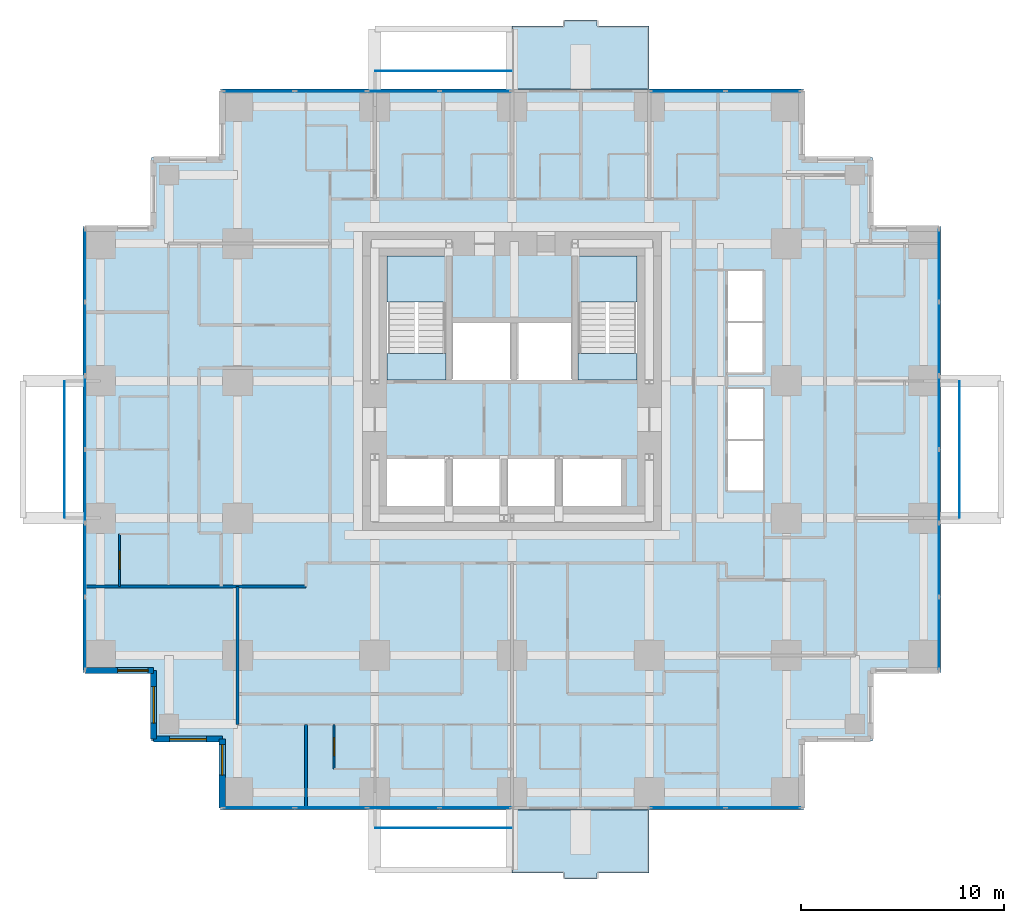
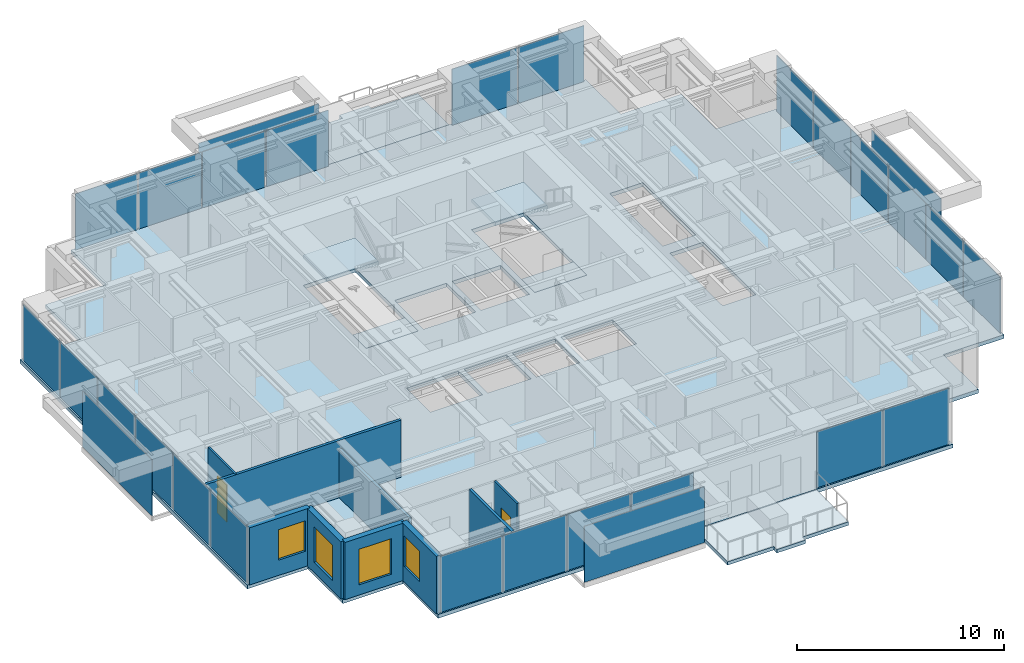
# One storey, part 6 of 12: 28 plates, 9 walls, 7 slabs, 4 windows, 2 doors, 6 openings, 8 elements without a shape of their own.
"""IFC4 building model written with IfcOpenShell, lengths in metres."""

from ifc_helpers import new_model, si_unit, direction, frame, frame_2d, origin, origin_2d, place, context, subcontext, project, spatial, polyline, rectangle, outline, extrude, material, layer, layer_set, type_object, element, fill, aggregate, save


model = new_model("IFC4")

# Units and contexts
model_context = context("Model", 3, precision=1e-05, world=origin(), true_north=direction((0.0, 1.0)))
body_context = subcontext(model_context, "Body", "Model", "MODEL_VIEW")
ifc_project = project(units=[si_unit("LENGTHUNIT", "METRE"), si_unit("AREAUNIT", "SQUARE_METRE"), si_unit("VOLUMEUNIT", "CUBIC_METRE"), si_unit("PLANEANGLEUNIT", "RADIAN"), si_unit("MASSUNIT", "GRAM", prefix="KILO")], contexts=[model_context])

# Site, building, storey
site_placement = place(None, origin())
site = spatial("IfcSite", under=ifc_project, at=site_placement, CompositionType="ELEMENT")
building_placement = place(site_placement, origin())
building = spatial("IfcBuilding", under=site, at=building_placement, Name="Nyansa Garden Tower", CompositionType="ELEMENT")
storey_placement = place(building_placement, frame((0.0, 0.0, 119.699951171875)))
storey = spatial("IfcBuildingStorey", under=building, at=storey_placement, Name="L32", CompositionType="ELEMENT", Elevation=119.699951171875)

# Slabs
ifc_material_1 = material(Name="Concrete C40/50", Category="concrete")
ifc_layer_1 = layer(ifc_material_1, 0.199951171875)
ifc_layer_set_1 = layer_set([ifc_layer_1], Name="Balcony slab BS200")
slab_type_1 = type_object("IfcSlabType", Name="Balcony slab BS200", PredefinedType="FLOOR", material=ifc_layer_set_1)
slab_1_placement = place(storey_placement, frame((0.0, 0.0, -0.239990234375)))
element("IfcSlab", 1, at=slab_1_placement, inside=storey, type_object=slab_type_1, Name="Balcony L32 S", PredefinedType="FLOOR", context=body_context, shape_type="SweptSolid", body=[
    extrude(outline(polyline([(20.25, -0.85009765625), (27.0, -0.85009765625), (27.0, -3.949951171875), (24.425048828125, -3.949951171875), (24.425048828125, -4.25), (22.824951171875, -4.25), (22.824951171875, -3.949951171875), (20.25, -3.949951171875), (20.25, -0.85009765625)])), origin(), (0.0, 0.0, 1.0), 0.199951171875),
])
slab_2_placement = place(storey_placement, frame((0.0, 0.0, -0.239990234375)))
element("IfcSlab", 2, at=slab_2_placement, inside=storey, type_object=slab_type_1, Name="Balcony L32 N", PredefinedType="FLOOR", context=body_context, shape_type="SweptSolid", body=[
    extrude(outline(polyline([(20.25, 34.60009765625), (27.0, 34.60009765625), (27.0, 37.699951171875), (24.425048828125, 37.699951171875), (24.425048828125, 38.0), (22.824951171875, 38.0), (22.824951171875, 37.699951171875), (20.25, 37.699951171875), (20.25, 34.60009765625)])), origin(), (0.0, 0.0, 1.0), 0.199951171875),
])

# Curtain wall, plates
ifc_material_2 = material(Name="Black anodised aluminium, dark tinted double glazing", Category="aluminium")
curtain_wall_type = type_object("IfcCurtainWallType", Name="Inner skin curtain wall ISW-B", PredefinedType="USERDEFINED", material=ifc_material_2)
curtain_wall_1_placement = place(storey_placement, origin())
curtain_wall_1 = element("IfcCurtainWall", 3, at=curtain_wall_1_placement, inside=storey, type_object=curtain_wall_type, Name="Inner skin curtain wall L32 E", ObjectType="UNITISED CURTAIN WALL", PredefinedType="USERDEFINED")
ifc_material_3 = material(Name="Dark tinted laminated double glazing", Category="glass")
ifc_layer_2 = layer(ifc_material_3, 0.035888671875)
ifc_layer_set_2 = layer_set([ifc_layer_2], Name="Dark tinted vision panel VP-B")
plate_type_1 = type_object("IfcPlateType", Name="Dark tinted vision panel VP-B", PredefinedType="CURTAIN_PANEL", material=ifc_layer_set_2)
plate_1_placement = place(storey_placement, frame((41.25, 7.828857421875, 0.0), z_axis=(0.0, 0.0, 1.0), x_axis=(0.0, 1.0, 0.0)))
plate_1 = element("IfcPlate", 4, at=plate_1_placement, type_object=plate_type_1, Name="ISW-B panel 1", PredefinedType="CURTAIN_PANEL", context=body_context, shape_type="SweptSolid", body=[
    extrude(rectangle(XDim=3.527587890625, YDim=0.035888671875, at=origin_2d()), origin(), (0.0, 0.0, 1.0), 3.31005859375),
])
plate_2_placement = place(storey_placement, frame((41.25, 11.4375, 0.0), z_axis=(0.0, 0.0, 1.0), x_axis=(0.0, 1.0, 0.0)))
plate_2 = element("IfcPlate", 5, at=plate_2_placement, type_object=plate_type_1, Name="ISW-B panel 2", PredefinedType="CURTAIN_PANEL", context=body_context, shape_type="SweptSolid", body=[
    extrude(rectangle(XDim=3.56005859375, YDim=0.035888671875, at=origin_2d()), origin(), (0.0, 0.0, 1.0), 3.31005859375),
])
plate_3_placement = place(storey_placement, frame((41.25, 15.0625, 0.0), z_axis=(0.0, 0.0, 1.0), x_axis=(0.0, 1.0, 0.0)))
plate_3 = element("IfcPlate", 6, at=plate_3_placement, type_object=plate_type_1, Name="ISW-B panel 3", PredefinedType="CURTAIN_PANEL", context=body_context, shape_type="SweptSolid", body=[
    extrude(rectangle(XDim=3.56005859375, YDim=0.035888671875, at=origin_2d()), origin(), (0.0, 0.0, 1.0), 3.31005859375),
])
plate_4_placement = place(storey_placement, frame((41.25, 18.6875, 0.0), z_axis=(0.0, 0.0, 1.0), x_axis=(0.0, 1.0, 0.0)))
plate_4 = element("IfcPlate", 7, at=plate_4_placement, type_object=plate_type_1, Name="ISW-B panel 4", PredefinedType="CURTAIN_PANEL", context=body_context, shape_type="SweptSolid", body=[
    extrude(rectangle(XDim=3.56005859375, YDim=0.035888671875, at=origin_2d()), origin(), (0.0, 0.0, 1.0), 3.31005859375),
])
plate_5_placement = place(storey_placement, frame((41.25, 22.3125, 0.0), z_axis=(0.0, 0.0, 1.0), x_axis=(0.0, 1.0, 0.0)))
plate_5 = element("IfcPlate", 8, at=plate_5_placement, type_object=plate_type_1, Name="ISW-B panel 5", PredefinedType="CURTAIN_PANEL", context=body_context, shape_type="SweptSolid", body=[
    extrude(rectangle(XDim=3.56005859375, YDim=0.035888671875, at=origin_2d()), origin(), (0.0, 0.0, 1.0), 3.31005859375),
])
plate_6_placement = place(storey_placement, frame((41.25, 25.921142578125, 0.0), z_axis=(0.0, 0.0, 1.0), x_axis=(0.0, 1.0, 0.0)))
plate_6 = element("IfcPlate", 9, at=plate_6_placement, type_object=plate_type_1, Name="ISW-B panel 6", PredefinedType="CURTAIN_PANEL", context=body_context, shape_type="SweptSolid", body=[
    extrude(rectangle(XDim=3.527587890625, YDim=0.035888671875, at=origin_2d()), origin(), (0.0, 0.0, 1.0), 3.31005859375),
])
aggregate(curtain_wall_1, [plate_1, plate_2, plate_3, plate_4, plate_5, plate_6])

curtain_wall_2_placement = place(storey_placement, origin())
curtain_wall_2 = element("IfcCurtainWall", 10, at=curtain_wall_2_placement, inside=storey, type_object=curtain_wall_type, Name="Inner skin curtain wall L32 N", ObjectType="UNITISED CURTAIN WALL", PredefinedType="USERDEFINED")
plate_7_placement = place(storey_placement, frame((18.452392578125, 34.5, 0.0), z_axis=(0.0, 0.0, 1.0), x_axis=(-1.0, 0.0, 0.0)))
plate_7 = element("IfcPlate", 11, at=plate_7_placement, type_object=plate_type_1, Name="ISW-B panel 1", PredefinedType="CURTAIN_PANEL", context=body_context, shape_type="SweptSolid", body=[
    extrude(rectangle(XDim=3.465087890625, YDim=0.035888671875, at=origin_2d()), origin(), (0.0, 0.0, 1.0), 3.31005859375),
])
plate_8_placement = place(storey_placement, frame((14.90625, 34.5, 0.0), z_axis=(0.0, 0.0, 1.0), x_axis=(-1.0, 0.0, 0.0)))
plate_8 = element("IfcPlate", 12, at=plate_8_placement, type_object=plate_type_1, Name="ISW-B panel 2", PredefinedType="CURTAIN_PANEL", context=body_context, shape_type="SweptSolid", body=[
    extrude(rectangle(XDim=3.49755859375, YDim=0.035888671875, at=origin_2d()), origin(), (0.0, 0.0, 1.0), 3.31005859375),
])
plate_9_placement = place(storey_placement, frame((11.34375, 34.5, 0.0), z_axis=(0.0, 0.0, 1.0), x_axis=(-1.0, 0.0, 0.0)))
plate_9 = element("IfcPlate", 13, at=plate_9_placement, type_object=plate_type_1, Name="ISW-B panel 3", PredefinedType="CURTAIN_PANEL", context=body_context, shape_type="SweptSolid", body=[
    extrude(rectangle(XDim=3.49755859375, YDim=0.035888671875, at=origin_2d()), origin(), (0.0, 0.0, 1.0), 3.31005859375),
])
plate_10_placement = place(storey_placement, frame((7.797607421875, 34.5, 0.0), z_axis=(0.0, 0.0, 1.0), x_axis=(-1.0, 0.0, 0.0)))
plate_10 = element("IfcPlate", 14, at=plate_10_placement, type_object=plate_type_1, Name="ISW-B panel 4", PredefinedType="CURTAIN_PANEL", context=body_context, shape_type="SweptSolid", body=[
    extrude(rectangle(XDim=3.465087890625, YDim=0.035888671875, at=origin_2d()), origin(), (0.0, 0.0, 1.0), 3.31005859375),
])
aggregate(curtain_wall_2, [plate_7, plate_8, plate_9, plate_10])

curtain_wall_3_placement = place(storey_placement, origin())
curtain_wall_3 = element("IfcCurtainWall", 15, at=curtain_wall_3_placement, inside=storey, type_object=curtain_wall_type, Name="Inner skin curtain wall L32 N", ObjectType="UNITISED CURTAIN WALL", PredefinedType="USERDEFINED")
plate_11_placement = place(storey_placement, frame((32.608642578125, 34.5, 0.0), z_axis=(0.0, 0.0, 1.0), x_axis=(-1.0, 0.0, 0.0)))
plate_11 = element("IfcPlate", 16, at=plate_11_placement, type_object=plate_type_1, Name="ISW-B panel 1", PredefinedType="CURTAIN_PANEL", context=body_context, shape_type="SweptSolid", body=[
    extrude(rectangle(XDim=3.652587890625, YDim=0.035888671875, at=origin_2d()), origin(), (0.0, 0.0, 1.0), 3.31005859375),
])
plate_12_placement = place(storey_placement, frame((28.891357421875, 34.5, 0.0), z_axis=(0.0, 0.0, 1.0), x_axis=(-1.0, 0.0, 0.0)))
plate_12 = element("IfcPlate", 17, at=plate_12_placement, type_object=plate_type_1, Name="ISW-B panel 2", PredefinedType="CURTAIN_PANEL", context=body_context, shape_type="SweptSolid", body=[
    extrude(rectangle(XDim=3.652587890625, YDim=0.035888671875, at=origin_2d()), origin(), (0.0, 0.0, 1.0), 3.31005859375),
])
aggregate(curtain_wall_3, [plate_11, plate_12])

curtain_wall_4_placement = place(storey_placement, origin())
curtain_wall_4 = element("IfcCurtainWall", 18, at=curtain_wall_4_placement, inside=storey, type_object=curtain_wall_type, Name="Inner skin curtain wall L32 W", ObjectType="UNITISED CURTAIN WALL", PredefinedType="USERDEFINED")
plate_13_placement = place(storey_placement, frame((-0.75, 25.921142578125, 0.0), z_axis=(0.0, 0.0, 1.0), x_axis=(0.0, -1.0, 0.0)))
plate_13 = element("IfcPlate", 19, at=plate_13_placement, type_object=plate_type_1, Name="ISW-B panel 1", PredefinedType="CURTAIN_PANEL", context=body_context, shape_type="SweptSolid", body=[
    extrude(rectangle(XDim=3.527587890625, YDim=0.035888671875, at=origin_2d()), origin(), (0.0, 0.0, 1.0), 3.31005859375),
])
plate_14_placement = place(storey_placement, frame((-0.75, 22.3125, 0.0), z_axis=(0.0, 0.0, 1.0), x_axis=(0.0, -1.0, 0.0)))
plate_14 = element("IfcPlate", 20, at=plate_14_placement, type_object=plate_type_1, Name="ISW-B panel 2", PredefinedType="CURTAIN_PANEL", context=body_context, shape_type="SweptSolid", body=[
    extrude(rectangle(XDim=3.56005859375, YDim=0.035888671875, at=origin_2d()), origin(), (0.0, 0.0, 1.0), 3.31005859375),
])
plate_15_placement = place(storey_placement, frame((-0.75, 18.6875, 0.0), z_axis=(0.0, 0.0, 1.0), x_axis=(0.0, -1.0, 0.0)))
plate_15 = element("IfcPlate", 21, at=plate_15_placement, type_object=plate_type_1, Name="ISW-B panel 3", PredefinedType="CURTAIN_PANEL", context=body_context, shape_type="SweptSolid", body=[
    extrude(rectangle(XDim=3.56005859375, YDim=0.035888671875, at=origin_2d()), origin(), (0.0, 0.0, 1.0), 3.31005859375),
])
plate_16_placement = place(storey_placement, frame((-0.75, 15.0625, 0.0), z_axis=(0.0, 0.0, 1.0), x_axis=(0.0, -1.0, 0.0)))
plate_16 = element("IfcPlate", 22, at=plate_16_placement, type_object=plate_type_1, Name="ISW-B panel 4", PredefinedType="CURTAIN_PANEL", context=body_context, shape_type="SweptSolid", body=[
    extrude(rectangle(XDim=3.56005859375, YDim=0.035888671875, at=origin_2d()), origin(), (0.0, 0.0, 1.0), 3.31005859375),
])
plate_17_placement = place(storey_placement, frame((-0.75, 11.4375, 0.0), z_axis=(0.0, 0.0, 1.0), x_axis=(0.0, -1.0, 0.0)))
plate_17 = element("IfcPlate", 23, at=plate_17_placement, type_object=plate_type_1, Name="ISW-B panel 5", PredefinedType="CURTAIN_PANEL", context=body_context, shape_type="SweptSolid", body=[
    extrude(rectangle(XDim=3.56005859375, YDim=0.035888671875, at=origin_2d()), origin(), (0.0, 0.0, 1.0), 3.31005859375),
])
plate_18_placement = place(storey_placement, frame((-0.75, 7.828857421875, 0.0), z_axis=(0.0, 0.0, 1.0), x_axis=(0.0, -1.0, 0.0)))
plate_18 = element("IfcPlate", 24, at=plate_18_placement, type_object=plate_type_1, Name="ISW-B panel 6", PredefinedType="CURTAIN_PANEL", context=body_context, shape_type="SweptSolid", body=[
    extrude(rectangle(XDim=3.527587890625, YDim=0.035888671875, at=origin_2d()), origin(), (0.0, 0.0, 1.0), 3.31005859375),
])
aggregate(curtain_wall_4, [plate_13, plate_14, plate_15, plate_16, plate_17, plate_18])

curtain_wall_5_placement = place(storey_placement, origin())
curtain_wall_5 = element("IfcCurtainWall", 25, at=curtain_wall_5_placement, inside=storey, type_object=curtain_wall_type, Name="Inner skin curtain wall L32 S", ObjectType="UNITISED CURTAIN WALL", PredefinedType="USERDEFINED")
plate_19_placement = place(storey_placement, frame((7.797607421875, -0.75, 0.0), z_axis=(0.0, 0.0, 1.0), x_axis=(1.0, 0.0, 0.0)))
plate_19 = element("IfcPlate", 26, at=plate_19_placement, type_object=plate_type_1, Name="ISW-B panel 1", PredefinedType="CURTAIN_PANEL", context=body_context, shape_type="SweptSolid", body=[
    extrude(rectangle(XDim=3.465087890625, YDim=0.035888671875, at=origin_2d()), origin(), (0.0, 0.0, 1.0), 3.31005859375),
])
plate_20_placement = place(storey_placement, frame((11.34375, -0.75, 0.0), z_axis=(0.0, 0.0, 1.0), x_axis=(1.0, 0.0, 0.0)))
plate_20 = element("IfcPlate", 27, at=plate_20_placement, type_object=plate_type_1, Name="ISW-B panel 2", PredefinedType="CURTAIN_PANEL", context=body_context, shape_type="SweptSolid", body=[
    extrude(rectangle(XDim=3.49755859375, YDim=0.035888671875, at=origin_2d()), origin(), (0.0, 0.0, 1.0), 3.31005859375),
])
plate_21_placement = place(storey_placement, frame((14.90625, -0.75, 0.0), z_axis=(0.0, 0.0, 1.0), x_axis=(1.0, 0.0, 0.0)))
plate_21 = element("IfcPlate", 28, at=plate_21_placement, type_object=plate_type_1, Name="ISW-B panel 3", PredefinedType="CURTAIN_PANEL", context=body_context, shape_type="SweptSolid", body=[
    extrude(rectangle(XDim=3.49755859375, YDim=0.035888671875, at=origin_2d()), origin(), (0.0, 0.0, 1.0), 3.31005859375),
])
plate_22_placement = place(storey_placement, frame((18.452392578125, -0.75, 0.0), z_axis=(0.0, 0.0, 1.0), x_axis=(1.0, 0.0, 0.0)))
plate_22 = element("IfcPlate", 29, at=plate_22_placement, type_object=plate_type_1, Name="ISW-B panel 4", PredefinedType="CURTAIN_PANEL", context=body_context, shape_type="SweptSolid", body=[
    extrude(rectangle(XDim=3.465087890625, YDim=0.035888671875, at=origin_2d()), origin(), (0.0, 0.0, 1.0), 3.31005859375),
])
aggregate(curtain_wall_5, [plate_19, plate_20, plate_21, plate_22])

curtain_wall_6_placement = place(storey_placement, origin())
curtain_wall_6 = element("IfcCurtainWall", 30, at=curtain_wall_6_placement, inside=storey, type_object=curtain_wall_type, Name="Inner skin curtain wall L32 S", ObjectType="UNITISED CURTAIN WALL", PredefinedType="USERDEFINED")
plate_23_placement = place(storey_placement, frame((28.891357421875, -0.75, 0.0), z_axis=(0.0, 0.0, 1.0), x_axis=(1.0, 0.0, 0.0)))
plate_23 = element("IfcPlate", 31, at=plate_23_placement, type_object=plate_type_1, Name="ISW-B panel 1", PredefinedType="CURTAIN_PANEL", context=body_context, shape_type="SweptSolid", body=[
    extrude(rectangle(XDim=3.652587890625, YDim=0.035888671875, at=origin_2d()), origin(), (0.0, 0.0, 1.0), 3.31005859375),
])
plate_24_placement = place(storey_placement, frame((32.608642578125, -0.75, 0.0), z_axis=(0.0, 0.0, 1.0), x_axis=(1.0, 0.0, 0.0)))
plate_24 = element("IfcPlate", 32, at=plate_24_placement, type_object=plate_type_1, Name="ISW-B panel 2", PredefinedType="CURTAIN_PANEL", context=body_context, shape_type="SweptSolid", body=[
    extrude(rectangle(XDim=3.652587890625, YDim=0.035888671875, at=origin_2d()), origin(), (0.0, 0.0, 1.0), 3.31005859375),
])
aggregate(curtain_wall_6, [plate_23, plate_24])

# Slab
ifc_material_4 = material(Name="Concrete C40/50", Category="concrete")
ifc_layer_3 = layer(ifc_material_4, 0.22509765625)
ifc_layer_set_3 = layer_set([ifc_layer_3], Name="Floor slab FS225")
slab_type_2 = type_object("IfcSlabType", Name="Floor slab FS225", PredefinedType="FLOOR", material=ifc_layer_set_3)
slab_3_placement = place(storey_placement, frame((0.0, 0.0, -0.224853515625)))
element("IfcSlab", 33, at=slab_3_placement, inside=storey, type_object=slab_type_2, Name="Floor slab L32", PredefinedType="FLOOR", context=body_context, shape_type="SweptSolid", body=[
    extrude(outline(polyline([(41.35009765625, 5.89990234375), (37.97509765625, 5.89990234375), (37.97509765625, 2.52490234375), (34.60009765625, 2.52490234375), (34.60009765625, -0.85009765625), (5.89990234375, -0.85009765625), (5.89990234375, 2.52490234375), (2.52490234375, 2.52490234375), (2.52490234375, 5.89990234375), (-0.85009765625, 5.89990234375), (-0.85009765625, 27.85009765625), (2.52490234375, 27.85009765625), (2.52490234375, 31.22509765625), (5.89990234375, 31.22509765625), (5.89990234375, 34.60009765625), (34.60009765625, 34.60009765625), (34.60009765625, 31.22509765625), (37.97509765625, 31.22509765625), (37.97509765625, 27.85009765625), (41.35009765625, 27.85009765625), (41.35009765625, 5.89990234375)]), holes=[polyline([(14.10009765625, 14.10009765625), (17.0, 14.10009765625), (17.0, 16.39990234375), (14.10009765625, 16.39990234375), (14.10009765625, 14.10009765625)]), polyline([(17.300048828125, 14.10009765625), (19.699951171875, 14.10009765625), (19.699951171875, 16.39990234375), (17.300048828125, 16.39990234375), (17.300048828125, 14.10009765625)]), polyline([(20.0, 14.10009765625), (22.39990234375, 14.10009765625), (22.39990234375, 16.39990234375), (20.0, 16.39990234375), (20.0, 14.10009765625)]), polyline([(22.699951171875, 14.10009765625), (25.60009765625, 14.10009765625), (25.60009765625, 16.39990234375), (22.699951171875, 16.39990234375), (22.699951171875, 14.10009765625)]), polyline([(17.300048828125, 20.300048828125), (20.199951171875, 20.300048828125), (20.199951171875, 23.10009765625), (17.300048828125, 23.10009765625), (17.300048828125, 20.300048828125)]), polyline([(20.5, 20.300048828125), (23.199951171875, 20.300048828125), (23.199951171875, 23.10009765625), (20.5, 23.10009765625), (20.5, 20.300048828125)]), polyline([(30.800048828125, 14.800048828125), (32.64990234375, 14.800048828125), (32.64990234375, 19.89990234375), (30.800048828125, 19.89990234375), (30.800048828125, 14.800048828125)]), polyline([(30.800048828125, 20.60009765625), (32.64990234375, 20.60009765625), (32.64990234375, 25.699951171875), (30.800048828125, 25.699951171875), (30.800048828125, 20.60009765625)]), polyline([(14.10009765625, 20.300048828125), (17.0, 20.300048828125), (17.0, 26.39990234375), (14.10009765625, 26.39990234375), (14.10009765625, 20.300048828125)]), polyline([(23.5, 20.300048828125), (26.39990234375, 20.300048828125), (26.39990234375, 26.39990234375), (23.5, 26.39990234375), (23.5, 20.300048828125)])]), origin(), (0.0, 0.0, 1.0), 0.224853515625),
])

# Plates
ifc_material_5 = material(Name="Dark tinted laminated glass", Category="glass")
ifc_layer_4 = layer(ifc_material_5, 0.02392578125)
ifc_layer_set_4 = layer_set([ifc_layer_4], Name="Outer skin glass panel OS1")
plate_type_2 = type_object("IfcPlateType", Name="Outer skin glass panel OS1", PredefinedType="USERDEFINED", material=ifc_layer_set_4)
for number, where, z_axis, x_axis, name in (
    (34, (42.25, 16.875, -0.22509765625), (0.0, 0.0, 1.0), (0.0, 1.0, 0.0), "Outer skin glass panel L32"),
    (35, (16.875, 35.5, -0.22509765625), (0.0, 0.0, 1.0), (1.0, 0.0, 0.0), "Outer skin glass panel L32"),
    (36, (-1.75, 16.875, -0.22509765625), (0.0, 0.0, 1.0), (0.0, 1.0, 0.0), "Outer skin glass panel L32"),
    (37, (16.875, -1.75, -0.22509765625), (0.0, 0.0, 1.0), (1.0, 0.0, 0.0), "Outer skin glass panel L32"),
):
    element("IfcPlate", number, at=place(storey_placement, frame(where, z_axis=z_axis, x_axis=x_axis)), inside=storey, type_object=plate_type_2, Name=name, ObjectType="OUTER SKIN GLASS", PredefinedType="USERDEFINED", context=body_context, shape_type="SweptSolid", body=[
        extrude(rectangle(XDim=6.7099609375, YDim=0.02392578125, at=origin_2d()), origin(), (0.0, 0.0, 1.0), 3.300048828125),
    ])

# Stair, slabs
ifc_material_6 = material(Name="Precast concrete C40/50", Category="concrete")
stair_type_1 = type_object("IfcStairType", Name="Stair S1 180x280", PredefinedType="HALF_TURN_STAIR", material=ifc_material_6)
stair_1_placement = place(storey_placement, origin())
stair_1 = element("IfcStair", 38, at=stair_1_placement, inside=storey, type_object=stair_type_1, Name="Stair S1 L32", PredefinedType="HALF_TURN_STAIR")
ifc_material_7 = material(Name="Concrete C40/50", Category="concrete")
ifc_layer_5 = layer(ifc_material_7, 0.199951171875)
ifc_layer_set_5 = layer_set([ifc_layer_5], Name="Stair landing SL200")
slab_type_3 = type_object("IfcSlabType", Name="Stair landing SL200", PredefinedType="LANDING", material=ifc_layer_set_5)
slab_4_placement = place(storey_placement, frame((0.0, 0.0, -0.199951171875)))
slab_4 = element("IfcSlab", 39, at=slab_4_placement, type_object=slab_type_3, Name="S1 landing 1", PredefinedType="LANDING", context=body_context, shape_type="SweptSolid", body=[
    extrude(outline(polyline([(14.10009765625, 20.300048828125), (17.0, 20.300048828125), (17.0, 21.60009765625), (14.10009765625, 21.60009765625), (14.10009765625, 20.300048828125)])), origin(), (0.0, 0.0, 1.0), 0.199951171875),
])
slab_5_placement = place(storey_placement, frame((0.0, 0.0, 1.60009765625)))
slab_5 = element("IfcSlab", 40, at=slab_5_placement, type_object=slab_type_3, Name="S1 landing 2", PredefinedType="LANDING", context=body_context, shape_type="SweptSolid", body=[
    extrude(outline(polyline([(14.10009765625, 24.1201171875), (17.0, 24.1201171875), (17.0, 26.39990234375), (14.10009765625, 26.39990234375), (14.10009765625, 24.1201171875)])), origin(), (0.0, 0.0, 1.0), 0.199951171875),
])
aggregate(stair_1, [slab_4, slab_5])

ifc_material_8 = material(Name="Precast concrete C40/50", Category="concrete")
stair_type_2 = type_object("IfcStairType", Name="Stair S2 180x280", PredefinedType="HALF_TURN_STAIR", material=ifc_material_8)
stair_2_placement = place(storey_placement, origin())
stair_2 = element("IfcStair", 41, at=stair_2_placement, inside=storey, type_object=stair_type_2, Name="Stair S2 L32", PredefinedType="HALF_TURN_STAIR")
slab_6_placement = place(storey_placement, frame((0.0, 0.0, -0.199951171875)))
slab_6 = element("IfcSlab", 42, at=slab_6_placement, type_object=slab_type_3, Name="S2 landing 1", PredefinedType="LANDING", context=body_context, shape_type="SweptSolid", body=[
    extrude(outline(polyline([(23.5, 20.300048828125), (26.39990234375, 20.300048828125), (26.39990234375, 21.60009765625), (23.5, 21.60009765625), (23.5, 20.300048828125)])), origin(), (0.0, 0.0, 1.0), 0.199951171875),
])
slab_7_placement = place(storey_placement, frame((0.0, 0.0, 1.60009765625)))
slab_7 = element("IfcSlab", 43, at=slab_7_placement, type_object=slab_type_3, Name="S2 landing 2", PredefinedType="LANDING", context=body_context, shape_type="SweptSolid", body=[
    extrude(outline(polyline([(23.5, 24.1201171875), (26.39990234375, 24.1201171875), (26.39990234375, 26.39990234375), (23.5, 26.39990234375), (23.5, 24.1201171875)])), origin(), (0.0, 0.0, 1.0), 0.199951171875),
])
aggregate(stair_2, [slab_6, slab_7])

# Walls
ifc_material_9 = material(Name="Blockwork, plastered both sides", Category="masonry")
ifc_layer_6 = layer(ifc_material_9, 0.14990234375)
ifc_layer_set_6 = layer_set([ifc_layer_6], Name="Partition PW150")
wall_type_1 = type_object("IfcWallType", Name="Partition PW150", PredefinedType="PARTITIONING", material=ifc_layer_set_6)
wall_1_placement = place(storey_placement, frame((-0.73388671875, 10.125, 0.0), z_axis=(0.0, 0.0, 1.0), x_axis=(1.0, 0.0, 0.0)))
element("IfcWall", 44, at=wall_1_placement, inside=storey, type_object=wall_type_1, Name="Partition", PredefinedType="PARTITIONING", context=body_context, shape_type="SweptSolid", body=[
    extrude(rectangle(XDim=10.85888671875, YDim=0.14990234375, at=frame_2d((5.429443359375, 0.0))), origin(), (0.0, 0.0, 1.0), 3.375),
])
wall_2_placement = place(storey_placement, frame((6.75, 3.35009765625, 0.0), z_axis=(0.0, 0.0, 1.0), x_axis=(0.0, 1.0, 0.0)))
element("IfcWall", 45, at=wall_2_placement, inside=storey, type_object=wall_type_1, Name="Partition", PredefinedType="PARTITIONING", context=body_context, shape_type="SweptSolid", body=[
    extrude(rectangle(XDim=6.77490234375, YDim=0.14990234375, at=frame_2d((3.387451171875, 0.0))), origin(), (0.0, 0.0, 1.0), 2.876953125),
])
wall_3_placement = place(storey_placement, frame((10.125, -0.73388671875, 0.0), z_axis=(0.0, 0.0, 1.0), x_axis=(0.0, 1.0, 0.0)))
element("IfcWall", 46, at=wall_3_placement, inside=storey, type_object=wall_type_1, Name="Partition", PredefinedType="PARTITIONING", context=body_context, shape_type="SweptSolid", body=[
    extrude(rectangle(XDim=4.083984375, YDim=0.14990234375, at=frame_2d((2.0419921875, 0.0))), origin(), (0.0, 0.0, 1.0), 3.375),
])

# Wall, opening, window
ifc_material_10 = material(Name="Turquoise glazed tile on concrete blockwork", Category="masonry")
ifc_layer_7 = layer(ifc_material_10, 0.300048828125)
ifc_layer_set_7 = layer_set([ifc_layer_7], Name="Tiled corner wall TW300")
wall_type_2 = type_object("IfcWallType", Name="Tiled corner wall TW300", PredefinedType="SOLIDWALL", material=ifc_layer_set_7)
wall_4_placement = place(storey_placement, frame((-0.75, 6.0, 0.0), z_axis=(0.0, 0.0, 1.0), x_axis=(1.0, 0.0, 0.0)))
wall_4 = element("IfcWall", 47, at=wall_4_placement, inside=storey, type_object=wall_type_2, Name="Tiled corner wall L32", PredefinedType="SOLIDWALL", context=body_context, shape_type="SweptSolid", body=[
    extrude(rectangle(XDim=3.375, YDim=0.300048828125, at=frame_2d((1.6875, 0.0))), origin(), (0.0, 0.0, 1.0), 3.375),
])
opening_1_placement = place(wall_4_placement, frame((1.607421875, 0.0, 0.89990234375)))
opening_1 = element("IfcOpeningElement", 48, at=opening_1_placement, cuts=wall_4, Name="Opening W1", PredefinedType="OPENING", context=body_context, shape_type="SweptSolid", body=[
    extrude(rectangle(XDim=1.5, YDim=1.800048828125, at=frame_2d((0.75, 0.89990234375))), frame((0.0, 0.159912109375, 0.0), z_axis=(0.0, -1.0, 0.0), x_axis=(1.0, 0.0, 0.0)), (0.0, 0.0, 1.0), 0.320068359375),
])
ifc_material_11 = material(Name="Black aluminium frame, dark tinted double glazing", Category="aluminium")
window_type_1 = type_object("IfcWindowType", Name="Window W1 1500x1800", PartitioningType="SINGLE_PANEL", PredefinedType="WINDOW", material=ifc_material_11)
window_1_placement = place(opening_1_placement, origin())
window_1 = element("IfcWindow", 49, at=window_1_placement, inside=storey, type_object=window_type_1, Name="Corner window L32", OverallHeight=1.800048828125, OverallWidth=1.5, PartitioningType="SINGLE_PANEL", PredefinedType="WINDOW", context=body_context, shape_type="SweptSolid", body=[
    extrude(rectangle(XDim=1.5, YDim=1.800048828125, at=frame_2d((0.75, 0.89990234375))), frame((0.0, 0.030029296875, 0.0), z_axis=(0.0, -1.0, 0.0), x_axis=(1.0, 0.0, 0.0)), (0.0, 0.0, 1.0), 0.06005859375),
])
fill(opening_1, window_1)

wall_5_placement = place(storey_placement, frame((2.625, 6.0, 0.0), z_axis=(0.0, 0.0, 1.0), x_axis=(0.0, -1.0, 0.0)))
wall_5 = element("IfcWall", 50, at=wall_5_placement, inside=storey, type_object=wall_type_2, Name="Tiled corner wall L32", PredefinedType="SOLIDWALL", context=body_context, shape_type="SweptSolid", body=[
    extrude(rectangle(XDim=3.375, YDim=0.300048828125, at=frame_2d((1.6875, 0.0))), origin(), (0.0, 0.0, 1.0), 3.375),
])
opening_2_placement = place(wall_5_placement, frame((0.78759765625, 0.0, 0.60009765625)))
opening_2 = element("IfcOpeningElement", 51, at=opening_2_placement, cuts=wall_5, Name="Opening W2", PredefinedType="OPENING", context=body_context, shape_type="SweptSolid", body=[
    extrude(rectangle(XDim=1.800048828125, YDim=2.10009765625, at=frame_2d((0.89990234375, 1.050048828125))), frame((0.0, 0.159912109375, 0.0), z_axis=(0.0, -1.0, 0.0), x_axis=(1.0, 0.0, 0.0)), (0.0, 0.0, 1.0), 0.320068359375),
])
ifc_material_12 = material(Name="Black aluminium frame, dark tinted double glazing", Category="aluminium")
window_type_2 = type_object("IfcWindowType", Name="Window W2 1800x2100", PartitioningType="SINGLE_PANEL", PredefinedType="WINDOW", material=ifc_material_12)
window_2_placement = place(opening_2_placement, origin())
window_2 = element("IfcWindow", 52, at=window_2_placement, inside=storey, type_object=window_type_2, Name="Corner window L32", OverallHeight=2.10009765625, OverallWidth=1.800048828125, PartitioningType="SINGLE_PANEL", PredefinedType="WINDOW", context=body_context, shape_type="SweptSolid", body=[
    extrude(rectangle(XDim=1.800048828125, YDim=2.10009765625, at=frame_2d((0.89990234375, 1.050048828125))), frame((0.0, 0.030029296875, 0.0), z_axis=(0.0, -1.0, 0.0), x_axis=(1.0, 0.0, 0.0)), (0.0, 0.0, 1.0), 0.06005859375),
])
fill(opening_2, window_2)

wall_6_placement = place(storey_placement, frame((2.625, 2.625, 0.0), z_axis=(0.0, 0.0, 1.0), x_axis=(1.0, 0.0, 0.0)))
wall_6 = element("IfcWall", 53, at=wall_6_placement, inside=storey, type_object=wall_type_2, Name="Tiled corner wall L32", PredefinedType="SOLIDWALL", context=body_context, shape_type="SweptSolid", body=[
    extrude(rectangle(XDim=3.375, YDim=0.300048828125, at=frame_2d((1.6875, 0.0))), origin(), (0.0, 0.0, 1.0), 3.375),
])
opening_3_placement = place(wall_6_placement, frame((0.78759765625, 0.0, 0.60009765625)))
opening_3 = element("IfcOpeningElement", 54, at=opening_3_placement, cuts=wall_6, Name="Opening W2", PredefinedType="OPENING", context=body_context, shape_type="SweptSolid", body=[
    extrude(rectangle(XDim=1.800048828125, YDim=2.10009765625, at=frame_2d((0.89990234375, 1.050048828125))), frame((0.0, 0.159912109375, 0.0), z_axis=(0.0, -1.0, 0.0), x_axis=(1.0, 0.0, 0.0)), (0.0, 0.0, 1.0), 0.320068359375),
])
window_3_placement = place(opening_3_placement, origin())
window_3 = element("IfcWindow", 55, at=window_3_placement, inside=storey, type_object=window_type_2, Name="Corner window L32", OverallHeight=2.10009765625, OverallWidth=1.800048828125, PartitioningType="SINGLE_PANEL", PredefinedType="WINDOW", context=body_context, shape_type="SweptSolid", body=[
    extrude(rectangle(XDim=1.800048828125, YDim=2.10009765625, at=frame_2d((0.89990234375, 1.050048828125))), frame((0.0, 0.030029296875, 0.0), z_axis=(0.0, -1.0, 0.0), x_axis=(1.0, 0.0, 0.0)), (0.0, 0.0, 1.0), 0.06005859375),
])
fill(opening_3, window_3)

wall_7_placement = place(storey_placement, frame((6.0, 2.625, 0.0), z_axis=(0.0, 0.0, 1.0), x_axis=(0.0, -1.0, 0.0)))
wall_7 = element("IfcWall", 56, at=wall_7_placement, inside=storey, type_object=wall_type_2, Name="Tiled corner wall L32", PredefinedType="SOLIDWALL", context=body_context, shape_type="SweptSolid", body=[
    extrude(rectangle(XDim=3.375, YDim=0.300048828125, at=frame_2d((1.6875, 0.0))), origin(), (0.0, 0.0, 1.0), 3.375),
])
opening_4_placement = place(wall_7_placement, frame((0.267578125, 0.0, 0.89990234375)))
opening_4 = element("IfcOpeningElement", 57, at=opening_4_placement, cuts=wall_7, Name="Opening W1", PredefinedType="OPENING", context=body_context, shape_type="SweptSolid", body=[
    extrude(rectangle(XDim=1.5, YDim=1.800048828125, at=frame_2d((0.75, 0.89990234375))), frame((0.0, 0.159912109375, 0.0), z_axis=(0.0, -1.0, 0.0), x_axis=(1.0, 0.0, 0.0)), (0.0, 0.0, 1.0), 0.320068359375),
])
window_4_placement = place(opening_4_placement, origin())
window_4 = element("IfcWindow", 58, at=window_4_placement, inside=storey, type_object=window_type_1, Name="Corner window L32", OverallHeight=1.800048828125, OverallWidth=1.5, PartitioningType="SINGLE_PANEL", PredefinedType="WINDOW", context=body_context, shape_type="SweptSolid", body=[
    extrude(rectangle(XDim=1.5, YDim=1.800048828125, at=frame_2d((0.75, 0.89990234375))), frame((0.0, 0.030029296875, 0.0), z_axis=(0.0, -1.0, 0.0), x_axis=(1.0, 0.0, 0.0)), (0.0, 0.0, 1.0), 0.06005859375),
])
fill(opening_4, window_4)

# Wall, opening, door
ifc_material_13 = material(Name="Moisture resistant board on steel studs, tiled", Category="steel")
ifc_layer_8 = layer(ifc_material_13, 0.10009765625)
ifc_layer_set_8 = layer_set([ifc_layer_8], Name="Wet wall PW100")
wall_type_3 = type_object("IfcWallType", Name="Wet wall PW100", PredefinedType="PARTITIONING", material=ifc_layer_set_8)
wall_8_placement = place(storey_placement, frame((0.949951171875, 10.125, 0.0), z_axis=(0.0, 0.0, 1.0), x_axis=(0.0, 1.0, 0.0)))
wall_8 = element("IfcWall", 59, at=wall_8_placement, inside=storey, type_object=wall_type_3, Name="Wet wall", PredefinedType="PARTITIONING", context=body_context, shape_type="SweptSolid", body=[
    extrude(rectangle(XDim=2.60009765625, YDim=0.10009765625, at=frame_2d((1.300048828125, 0.0))), origin(), (0.0, 0.0, 1.0), 3.375),
])
opening_5_placement = place(wall_8_placement, frame((0.85009765625, 0.0, 0.0)))
opening_5 = element("IfcOpeningElement", 60, at=opening_5_placement, cuts=wall_8, Name="Opening D02", PredefinedType="OPENING", context=body_context, shape_type="SweptSolid", body=[
    extrude(rectangle(XDim=0.89990234375, YDim=2.199951171875, at=frame_2d((0.449951171875, 1.10009765625))), frame((0.0, 0.06005859375, 0.0), z_axis=(0.0, -1.0, 0.0), x_axis=(1.0, 0.0, 0.0)), (0.0, 0.0, 1.0), 0.1201171875),
])
ifc_material_14 = material(Name="Timber flush door", Category="wood")
door_type = type_object("IfcDoorType", Name="En-suite door D02 900x2200", OperationType="SINGLE_SWING_RIGHT", PredefinedType="DOOR", material=ifc_material_14)
door_1_placement = place(opening_5_placement, origin())
door_1 = element("IfcDoor", 61, at=door_1_placement, inside=storey, type_object=door_type, Name="Door L32-056", OperationType="SINGLE_SWING_RIGHT", OverallHeight=2.199951171875, OverallWidth=0.89990234375, PredefinedType="DOOR", context=body_context, shape_type="SweptSolid", body=[
    extrude(rectangle(XDim=0.89990234375, YDim=2.199951171875, at=frame_2d((0.449951171875, 1.10009765625))), frame((0.0, 0.02490234375, 0.0), z_axis=(0.0, -1.0, 0.0), x_axis=(1.0, 0.0, 0.0)), (0.0, 0.0, 1.0), 0.050048828125),
])
fill(opening_5, door_1)

wall_9_placement = place(storey_placement, frame((11.5, 1.14990234375, 0.0), z_axis=(0.0, 0.0, 1.0), x_axis=(0.0, 1.0, 0.0)))
wall_9 = element("IfcWall", 62, at=wall_9_placement, inside=storey, type_object=wall_type_3, Name="Wet wall", PredefinedType="PARTITIONING", context=body_context, shape_type="SweptSolid", body=[
    extrude(rectangle(XDim=2.2001953125, YDim=0.10009765625, at=frame_2d((1.10009765625, 0.0))), origin(), (0.0, 0.0, 1.0), 3.375),
])
opening_6_placement = place(wall_9_placement, frame((0.64990234375, 0.0, 0.0)))
opening_6 = element("IfcOpeningElement", 63, at=opening_6_placement, cuts=wall_9, Name="Opening D02", PredefinedType="OPENING", context=body_context, shape_type="SweptSolid", body=[
    extrude(rectangle(XDim=0.89990234375, YDim=2.199951171875, at=frame_2d((0.449951171875, 1.10009765625))), frame((0.0, 0.06005859375, 0.0), z_axis=(0.0, -1.0, 0.0), x_axis=(1.0, 0.0, 0.0)), (0.0, 0.0, 1.0), 0.1201171875),
])
door_2_placement = place(opening_6_placement, origin())
door_2 = element("IfcDoor", 64, at=door_2_placement, inside=storey, type_object=door_type, Name="Door L32-019", OperationType="SINGLE_SWING_RIGHT", OverallHeight=2.199951171875, OverallWidth=0.89990234375, PredefinedType="DOOR", context=body_context, shape_type="SweptSolid", body=[
    extrude(rectangle(XDim=0.89990234375, YDim=2.199951171875, at=frame_2d((0.449951171875, 1.10009765625))), frame((0.0, 0.02490234375, 0.0), z_axis=(0.0, -1.0, 0.0), x_axis=(1.0, 0.0, 0.0)), (0.0, 0.0, 1.0), 0.050048828125),
])
fill(opening_6, door_2)

save(model, "model.ifc")
